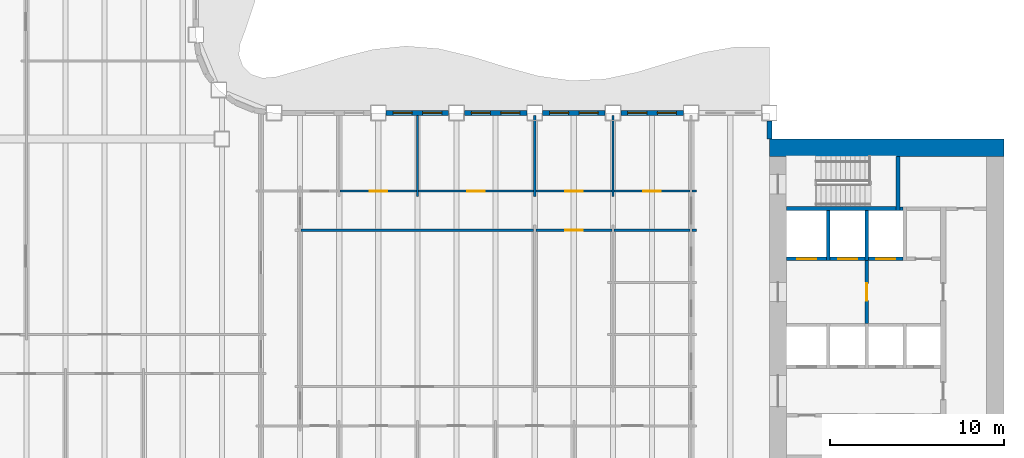
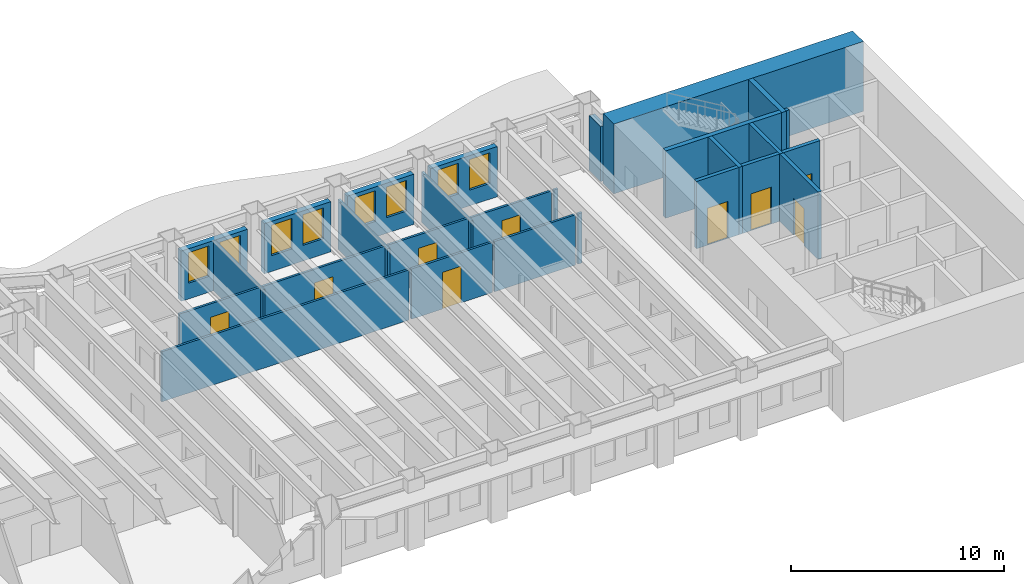
# One storey, part 7 of 16: 27 walls, 9 doors, 8 windows, 17 openings.
"""IFC4 building model written with IfcOpenShell, lengths in metres."""

from ifc_helpers import new_model, si_unit, direction, frame, frame_2d, origin, place, context, subcontext, project, spatial, rectangle, extrude, material, layer, layer_set, type_object, element, fill, save


model = new_model("IFC4")

# Units and contexts
model_context = context("Model", 3, precision=1e-05, world=origin(), true_north=direction((0.0, 1.0)))
body_context = subcontext(model_context, "Body", "Model", "MODEL_VIEW")
ifc_project = project(units=[si_unit("LENGTHUNIT", "METRE"), si_unit("AREAUNIT", "SQUARE_METRE"), si_unit("VOLUMEUNIT", "CUBIC_METRE"), si_unit("PLANEANGLEUNIT", "RADIAN"), si_unit("MASSUNIT", "GRAM", prefix="KILO")], contexts=[model_context])

# Site, building, storey
site_placement = place(None, origin())
site = spatial("IfcSite", under=ifc_project, at=site_placement, CompositionType="ELEMENT")
building_placement = place(site_placement, origin())
building = spatial("IfcBuilding", under=site, at=building_placement, Name="Sennacour Bend Tower", CompositionType="ELEMENT")
storey_placement = place(building_placement, frame((0.0, 0.0, 159.0)))
storey = spatial("IfcBuildingStorey", under=building, at=storey_placement, Name="L36", CompositionType="ELEMENT", Elevation=159.0)

# Walls
ifc_material_1 = material(Name="Concrete C60/75", Category="concrete")
ifc_layer_1 = layer(ifc_material_1, 1.0, Name="Concrete C60/75", Category="concrete")
ifc_layer_set_1 = layer_set([ifc_layer_1], Name="Concrete C60/75")
wall_type_1 = type_object("IfcWallType", Name="Core wall 1000 C60/75", PredefinedType="SHEAR", material=ifc_layer_set_1)
wall_1_placement = place(storey_placement, frame((54.0, 22.0, -0.14990234375), z_axis=(0.0, 0.0, 1.0), x_axis=(1.0, 0.0, 0.0)))
element("IfcWall", 1, at=wall_1_placement, inside=storey, type_object=wall_type_1, Name="Core A wall L36 N", PredefinedType="SHEAR", context=body_context, shape_type="SweptSolid", body=[
    extrude(rectangle(XDim=13.5, YDim=1.0, at=frame_2d((6.75, 0.0))), origin(), (0.0, 0.0, 1.0), 4.0),
])
ifc_material_2 = material(Name="Plasterboard partition on steel studs", Category="steel")
ifc_layer_2 = layer(ifc_material_2, 0.1201171875, Name="Plasterboard partition on steel studs", Category="steel")
ifc_layer_set_2 = layer_set([ifc_layer_2], Name="Plasterboard partition on steel studs")
wall_type_2 = type_object("IfcWallType", Name="Partition 120", PredefinedType="PARTITIONING", material=ifc_layer_set_2)
for number, where, z_axis, x_axis, name in (
    (2, (33.75, 19.199951171875, 0.0), (0.0, 0.0, 1.0), (0.0, 1.0, 0.0), "P-L36-W029a"),
    (3, (40.5, 19.199951171875, 0.0), (0.0, 0.0, 1.0), (0.0, 1.0, 0.0), "P-L36-W032a"),
    (4, (45.0, 19.199951171875, 0.0), (0.0, 0.0, 1.0), (0.0, 1.0, 0.0), "P-L36-W035a"),
):
    element("IfcWall", number, at=place(storey_placement, frame(where, z_axis=z_axis, x_axis=x_axis)), inside=storey, type_object=wall_type_2, Name=name, PredefinedType="PARTITIONING", context=body_context, shape_type="SweptSolid", body=[
        extrude(rectangle(XDim=4.650146484375, YDim=0.1201171875, at=frame_2d((2.3251953125, 0.0))), origin(), (0.0, 0.0, 1.0), 2.8701171875),
    ])
wall_2_placement = place(storey_placement, frame((27.06005859375, 17.25, 0.0), z_axis=(0.0, 0.0, 1.0), x_axis=(1.0, 0.0, 0.0)))
element("IfcWall", 5, at=wall_2_placement, inside=storey, type_object=wall_type_2, Name="P-L36-W070ab", PredefinedType="PARTITIONING", context=body_context, shape_type="SweptSolid", body=[
    extrude(rectangle(XDim=13.3798828125, YDim=0.1201171875, at=frame_2d((6.68994140625, 0.0))), origin(), (0.0, 0.0, 1.0), 2.8701171875),
])

# Wall, opening, door
wall_3_placement = place(storey_placement, frame((40.56005859375, 17.25, 0.0), z_axis=(0.0, 0.0, 1.0), x_axis=(1.0, 0.0, 0.0)))
wall_3 = element("IfcWall", 6, at=wall_3_placement, inside=storey, type_object=wall_type_2, Name="P-L36-W070ac", PredefinedType="PARTITIONING", context=body_context, shape_type="SweptSolid", body=[
    extrude(rectangle(XDim=4.3798828125, YDim=0.1201171875, at=frame_2d((2.18994140625, 0.0))), origin(), (0.0, 0.0, 1.0), 2.8701171875),
])
opening_1_placement = place(wall_3_placement, frame((1.68994140625, 0.0, 0.0)))
opening_1 = element("IfcOpeningElement", 7, at=opening_1_placement, cuts=wall_3, Name="Opening OD2", PredefinedType="OPENING", context=body_context, shape_type="SweptSolid", body=[
    extrude(rectangle(XDim=1.0, YDim=2.10009765625, at=frame_2d((0.5, 1.050048828125))), frame((0.0, 0.070068359375, 0.0), z_axis=(0.0, -1.0, 0.0), x_axis=(1.0, 0.0, 0.0)), (0.0, 0.0, 1.0), 0.14013671875),
])
ifc_material_3 = material(Name="Timber", Category="wood")
door_type_1 = type_object("IfcDoorType", Name="DR-OFFICE-1000", OperationType="NOTDEFINED", PredefinedType="DOOR", material=ifc_material_3)
door_1_placement = place(opening_1_placement, origin())
door_1 = element("IfcDoor", 8, at=door_1_placement, inside=storey, type_object=door_type_1, Name="Door", OperationType="SINGLE_SWING_LEFT", OverallHeight=2.10009765625, OverallWidth=1.0, PredefinedType="DOOR", context=body_context, shape_type="SweptSolid", body=[
    extrude(rectangle(XDim=1.0, YDim=2.10009765625, at=frame_2d((0.5, 1.050048828125))), frame((0.0, 0.02490234375, 0.0), z_axis=(0.0, -1.0, 0.0), x_axis=(1.0, 0.0, 0.0)), (0.0, 0.0, 1.0), 0.050048828125),
])
fill(opening_1, door_1)

# Walls
wall_4_placement = place(storey_placement, frame((45.06005859375, 17.25, 0.0), z_axis=(0.0, 0.0, 1.0), x_axis=(1.0, 0.0, 0.0)))
element("IfcWall", 9, at=wall_4_placement, inside=storey, type_object=wall_type_2, Name="P-L36-W070ad", PredefinedType="PARTITIONING", context=body_context, shape_type="SweptSolid", body=[
    extrude(rectangle(XDim=4.3798828125, YDim=0.1201171875, at=frame_2d((2.18994140625, 0.0))), origin(), (0.0, 0.0, 1.0), 2.8701171875),
])
wall_5_placement = place(storey_placement, frame((49.56005859375, 17.25, 0.0), z_axis=(0.0, 0.0, 1.0), x_axis=(1.0, 0.0, 0.0)))
element("IfcWall", 10, at=wall_5_placement, inside=storey, type_object=wall_type_2, Name="P-L36-W070ae", PredefinedType="PARTITIONING", context=body_context, shape_type="SweptSolid", body=[
    extrude(rectangle(XDim=0.239990234375, YDim=0.1201171875, at=frame_2d((0.1201171875, 0.0))), origin(), (0.0, 0.0, 1.0), 2.8701171875),
])

# Wall, opening, door
wall_6_placement = place(storey_placement, frame((29.31005859375, 19.5, 0.0), z_axis=(0.0, 0.0, 1.0), x_axis=(1.0, 0.0, 0.0)))
wall_6 = element("IfcWall", 11, at=wall_6_placement, inside=storey, type_object=wall_type_2, Name="P-L36-W074ad", PredefinedType="PARTITIONING", context=body_context, shape_type="SweptSolid", body=[
    extrude(rectangle(XDim=4.3798828125, YDim=0.1201171875, at=frame_2d((2.18994140625, 0.0))), origin(), (0.0, 0.0, 1.0), 2.8701171875),
])
opening_2_placement = place(wall_6_placement, frame((1.68994140625, 0.0, 0.0)))
opening_2 = element("IfcOpeningElement", 12, at=opening_2_placement, cuts=wall_6, Name="Opening OD2", PredefinedType="OPENING", context=body_context, shape_type="SweptSolid", body=[
    extrude(rectangle(XDim=1.0, YDim=2.10009765625, at=frame_2d((0.5, 1.050048828125))), frame((0.0, 0.070068359375, 0.0), z_axis=(0.0, -1.0, 0.0), x_axis=(1.0, 0.0, 0.0)), (0.0, 0.0, 1.0), 0.14013671875),
])
door_2_placement = place(opening_2_placement, origin())
door_2 = element("IfcDoor", 13, at=door_2_placement, inside=storey, type_object=door_type_1, Name="Door", OperationType="SINGLE_SWING_LEFT", OverallHeight=2.10009765625, OverallWidth=1.0, PredefinedType="DOOR", context=body_context, shape_type="SweptSolid", body=[
    extrude(rectangle(XDim=1.0, YDim=2.10009765625, at=frame_2d((0.5, 1.050048828125))), frame((0.0, 0.02490234375, 0.0), z_axis=(0.0, -1.0, 0.0), x_axis=(1.0, 0.0, 0.0)), (0.0, 0.0, 1.0), 0.050048828125),
])
fill(opening_2, door_2)

wall_7_placement = place(storey_placement, frame((33.81005859375, 19.5, 0.0), z_axis=(0.0, 0.0, 1.0), x_axis=(1.0, 0.0, 0.0)))
wall_7 = element("IfcWall", 14, at=wall_7_placement, inside=storey, type_object=wall_type_2, Name="P-L36-W074ae", PredefinedType="PARTITIONING", context=body_context, shape_type="SweptSolid", body=[
    extrude(rectangle(XDim=6.6298828125, YDim=0.1201171875, at=frame_2d((3.31494140625, 0.0))), origin(), (0.0, 0.0, 1.0), 2.8701171875),
])
opening_3_placement = place(wall_7_placement, frame((2.81494140625, 0.0, 0.0)))
opening_3 = element("IfcOpeningElement", 15, at=opening_3_placement, cuts=wall_7, Name="Opening OD2", PredefinedType="OPENING", context=body_context, shape_type="SweptSolid", body=[
    extrude(rectangle(XDim=1.0, YDim=2.10009765625, at=frame_2d((0.5, 1.050048828125))), frame((0.0, 0.070068359375, 0.0), z_axis=(0.0, -1.0, 0.0), x_axis=(1.0, 0.0, 0.0)), (0.0, 0.0, 1.0), 0.14013671875),
])
door_3_placement = place(opening_3_placement, origin())
door_3 = element("IfcDoor", 16, at=door_3_placement, inside=storey, type_object=door_type_1, Name="Door", OperationType="SINGLE_SWING_LEFT", OverallHeight=2.10009765625, OverallWidth=1.0, PredefinedType="DOOR", context=body_context, shape_type="SweptSolid", body=[
    extrude(rectangle(XDim=1.0, YDim=2.10009765625, at=frame_2d((0.5, 1.050048828125))), frame((0.0, 0.02490234375, 0.0), z_axis=(0.0, -1.0, 0.0), x_axis=(1.0, 0.0, 0.0)), (0.0, 0.0, 1.0), 0.050048828125),
])
fill(opening_3, door_3)

wall_8_placement = place(storey_placement, frame((40.56005859375, 19.5, 0.0), z_axis=(0.0, 0.0, 1.0), x_axis=(1.0, 0.0, 0.0)))
wall_8 = element("IfcWall", 17, at=wall_8_placement, inside=storey, type_object=wall_type_2, Name="P-L36-W074af", PredefinedType="PARTITIONING", context=body_context, shape_type="SweptSolid", body=[
    extrude(rectangle(XDim=4.3798828125, YDim=0.1201171875, at=frame_2d((2.18994140625, 0.0))), origin(), (0.0, 0.0, 1.0), 2.8701171875),
])
opening_4_placement = place(wall_8_placement, frame((1.68994140625, 0.0, 0.0)))
opening_4 = element("IfcOpeningElement", 18, at=opening_4_placement, cuts=wall_8, Name="Opening OD2", PredefinedType="OPENING", context=body_context, shape_type="SweptSolid", body=[
    extrude(rectangle(XDim=1.0, YDim=2.10009765625, at=frame_2d((0.5, 1.050048828125))), frame((0.0, 0.070068359375, 0.0), z_axis=(0.0, -1.0, 0.0), x_axis=(1.0, 0.0, 0.0)), (0.0, 0.0, 1.0), 0.14013671875),
])
door_4_placement = place(opening_4_placement, origin())
door_4 = element("IfcDoor", 19, at=door_4_placement, inside=storey, type_object=door_type_1, Name="Door", OperationType="SINGLE_SWING_LEFT", OverallHeight=2.10009765625, OverallWidth=1.0, PredefinedType="DOOR", context=body_context, shape_type="SweptSolid", body=[
    extrude(rectangle(XDim=1.0, YDim=2.10009765625, at=frame_2d((0.5, 1.050048828125))), frame((0.0, 0.02490234375, 0.0), z_axis=(0.0, -1.0, 0.0), x_axis=(1.0, 0.0, 0.0)), (0.0, 0.0, 1.0), 0.050048828125),
])
fill(opening_4, door_4)

wall_9_placement = place(storey_placement, frame((45.06005859375, 19.5, 0.0), z_axis=(0.0, 0.0, 1.0), x_axis=(1.0, 0.0, 0.0)))
wall_9 = element("IfcWall", 20, at=wall_9_placement, inside=storey, type_object=wall_type_2, Name="P-L36-W074ag", PredefinedType="PARTITIONING", context=body_context, shape_type="SweptSolid", body=[
    extrude(rectangle(XDim=4.3798828125, YDim=0.1201171875, at=frame_2d((2.18994140625, 0.0))), origin(), (0.0, 0.0, 1.0), 2.8701171875),
])
opening_5_placement = place(wall_9_placement, frame((1.68994140625, 0.0, 0.0)))
opening_5 = element("IfcOpeningElement", 21, at=opening_5_placement, cuts=wall_9, Name="Opening MD2", PredefinedType="OPENING", context=body_context, shape_type="SweptSolid", body=[
    extrude(rectangle(XDim=1.0, YDim=2.10009765625, at=frame_2d((0.5, 1.050048828125))), frame((0.0, 0.070068359375, 0.0), z_axis=(0.0, -1.0, 0.0), x_axis=(1.0, 0.0, 0.0)), (0.0, 0.0, 1.0), 0.14013671875),
])
door_type_2 = type_object("IfcDoorType", Name="DR-MEETING-1000", OperationType="NOTDEFINED", PredefinedType="DOOR", material=ifc_material_3)
door_5_placement = place(opening_5_placement, origin())
door_5 = element("IfcDoor", 22, at=door_5_placement, inside=storey, type_object=door_type_2, Name="Door", OperationType="SINGLE_SWING_LEFT", OverallHeight=2.10009765625, OverallWidth=1.0, PredefinedType="DOOR", context=body_context, shape_type="SweptSolid", body=[
    extrude(rectangle(XDim=1.0, YDim=2.10009765625, at=frame_2d((0.5, 1.050048828125))), frame((0.0, 0.02490234375, 0.0), z_axis=(0.0, -1.0, 0.0), x_axis=(1.0, 0.0, 0.0)), (0.0, 0.0, 1.0), 0.050048828125),
])
fill(opening_5, door_5)

# Wall
wall_10_placement = place(storey_placement, frame((49.56005859375, 19.5, 0.0), z_axis=(0.0, 0.0, 1.0), x_axis=(1.0, 0.0, 0.0)))
element("IfcWall", 23, at=wall_10_placement, inside=storey, type_object=wall_type_2, Name="P-L36-W074ah", PredefinedType="PARTITIONING", context=body_context, shape_type="SweptSolid", body=[
    extrude(rectangle(XDim=0.239990234375, YDim=0.1201171875, at=frame_2d((0.1201171875, 0.0))), origin(), (0.0, 0.0, 1.0), 2.8701171875),
])

# Wall, opening, door
ifc_material_4 = material(Name="Fire-rated plasterboard partition on steel studs", Category="steel")
ifc_layer_3 = layer(ifc_material_4, 0.199951171875, Name="Fire-rated plasterboard partition on steel studs", Category="steel")
ifc_layer_set_3 = layer_set([ifc_layer_3], Name="Fire-rated plasterboard partition on steel studs")
wall_type_3 = type_object("IfcWallType", Name="Rated partition 200 EI 90", PredefinedType="PARTITIONING", material=ifc_layer_set_3)
wall_11_placement = place(storey_placement, frame((59.60009765625, 11.89990234375, 0.0), z_axis=(0.0, 0.0, 1.0), x_axis=(0.0, 1.0, 0.0)))
wall_11 = element("IfcWall", 24, at=wall_11_placement, inside=storey, type_object=wall_type_3, Name="P-L36-W042", PredefinedType="PARTITIONING", context=body_context, shape_type="SweptSolid", body=[
    extrude(rectangle(XDim=3.60009765625, YDim=0.199951171875, at=frame_2d((1.800048828125, 0.0))), origin(), (0.0, 0.0, 1.0), 3.85009765625),
])
opening_6_placement = place(wall_11_placement, frame((1.300048828125, 0.0, 0.0)))
opening_6 = element("IfcOpeningElement", 25, at=opening_6_placement, cuts=wall_11, Name="Opening FD2", PredefinedType="OPENING", context=body_context, shape_type="SweptSolid", body=[
    extrude(rectangle(XDim=1.0, YDim=2.10009765625, at=frame_2d((0.5, 1.050048828125))), frame((0.0, 0.10986328125, 0.0), z_axis=(0.0, -1.0, 0.0), x_axis=(1.0, 0.0, 0.0)), (0.0, 0.0, 1.0), 0.219970703125),
])
ifc_material_5 = material(Name="Painted steel", Category="steel")
door_type_3 = type_object("IfcDoorType", Name="DR-FFL-1000", OperationType="NOTDEFINED", PredefinedType="DOOR", material=ifc_material_5)
door_6_placement = place(opening_6_placement, origin())
door_6 = element("IfcDoor", 26, at=door_6_placement, inside=storey, type_object=door_type_3, Name="Door", OperationType="SINGLE_SWING_LEFT", OverallHeight=2.10009765625, OverallWidth=1.0, PredefinedType="DOOR", context=body_context, shape_type="SweptSolid", body=[
    extrude(rectangle(XDim=1.0, YDim=2.10009765625, at=frame_2d((0.5, 1.050048828125))), frame((0.0, 0.02490234375, 0.0), z_axis=(0.0, -1.0, 0.0), x_axis=(1.0, 0.0, 0.0)), (0.0, 0.0, 1.0), 0.050048828125),
])
fill(opening_6, door_6)

# Wall
ifc_material_6 = material(Name="Warm limestone cladding", Category="masonry")
ifc_layer_4 = layer(ifc_material_6, 0.050048828125, Name="Warm limestone cladding", Category="masonry")
ifc_material_7 = material(Name="Precast concrete C40/50", Category="concrete")
ifc_layer_5 = layer(ifc_material_7, 0.25, Name="Precast concrete C40/50", Category="concrete")
ifc_layer_set_4 = layer_set([ifc_layer_4, ifc_layer_5], Name="Precast concrete C40/50 with limestone cladding")
wall_type_4 = type_object("IfcWallType", Name="STONE-CLAD PRECAST SPANDREL 300", PredefinedType="STANDARD", material=ifc_layer_set_4)
wall_12_placement = place(storey_placement, frame((54.0, 22.5, 0.0), z_axis=(0.0, 0.0, 1.0), x_axis=(0.0, 1.0, 0.0)))
element("IfcWall", 27, at=wall_12_placement, inside=storey, type_object=wall_type_4, Name="Stone spandrel and pier wall L36 07.00", PredefinedType="STANDARD", context=body_context, shape_type="SweptSolid", body=[
    extrude(rectangle(XDim=1.050048828125, YDim=0.300048828125, at=frame_2d((0.52490234375, 0.0))), origin(), (0.0, 0.0, 1.0), 3.14892578125),
])

# Wall, openings, windows
wall_13_placement = place(storey_placement, frame((49.050048828125, 24.0, 0.0), z_axis=(0.0, 0.0, 1.0), x_axis=(-1.0, 0.0, 0.0)))
wall_13 = element("IfcWall", 28, at=wall_13_placement, inside=storey, type_object=wall_type_4, Name="Stone spandrel and pier wall L36 08.01", PredefinedType="STANDARD", context=body_context, shape_type="SweptSolid", body=[
    extrude(rectangle(XDim=3.60009765625, YDim=0.300048828125, at=frame_2d((1.800048828125, 0.0))), origin(), (0.0, 0.0, 1.0), 2.8701171875),
])
opening_7_placement = place(wall_13_placement, frame((0.39990234375, 0.0, 0.89990234375)))
opening_7 = element("IfcOpeningElement", 29, at=opening_7_placement, cuts=wall_13, Name="Opening W17", PredefinedType="OPENING", context=body_context, shape_type="SweptSolid", body=[
    extrude(rectangle(XDim=1.10009765625, YDim=1.75, at=frame_2d((0.550048828125, 0.875))), frame((0.0, 0.16015625, 0.0), z_axis=(0.0, -1.0, 0.0), x_axis=(1.0, 0.0, 0.0)), (0.0, 0.0, 1.0), 0.320068359375),
])
opening_8_placement = place(wall_13_placement, frame((2.10009765625, 0.0, 0.89990234375)))
opening_8 = element("IfcOpeningElement", 30, at=opening_8_placement, cuts=wall_13, Name="Opening W17", PredefinedType="OPENING", context=body_context, shape_type="SweptSolid", body=[
    extrude(rectangle(XDim=1.10009765625, YDim=1.75, at=frame_2d((0.550048828125, 0.875))), frame((0.0, 0.16015625, 0.0), z_axis=(0.0, -1.0, 0.0), x_axis=(1.0, 0.0, 0.0)), (0.0, 0.0, 1.0), 0.320068359375),
])
ifc_material_8 = material(Name="Clear low-emissivity glass", Category="glass")
window_type = type_object("IfcWindowType", Name="WIN-RIBBON-1100x1750", PartitioningType="SINGLE_PANEL", PredefinedType="WINDOW", material=ifc_material_8)
window_1_placement = place(opening_7_placement, origin())
window_1 = element("IfcWindow", 31, at=window_1_placement, inside=storey, type_object=window_type, Name="Ribbon window L36 08.01.0", OverallHeight=1.75, OverallWidth=1.10009765625, PartitioningType="SINGLE_PANEL", PredefinedType="WINDOW", context=body_context, shape_type="SweptSolid", body=[
    extrude(rectangle(XDim=1.10009765625, YDim=1.75, at=frame_2d((0.550048828125, 0.875))), frame((0.0, 0.030029296875, 0.0), z_axis=(0.0, -1.0, 0.0), x_axis=(1.0, 0.0, 0.0)), (0.0, 0.0, 1.0), 0.06005859375),
])
fill(opening_7, window_1)
window_2_placement = place(opening_8_placement, origin())
window_2 = element("IfcWindow", 32, at=window_2_placement, inside=storey, type_object=window_type, Name="Ribbon window L36 08.01.1", OverallHeight=1.75, OverallWidth=1.10009765625, PartitioningType="SINGLE_PANEL", PredefinedType="WINDOW", context=body_context, shape_type="SweptSolid", body=[
    extrude(rectangle(XDim=1.10009765625, YDim=1.75, at=frame_2d((0.550048828125, 0.875))), frame((0.0, 0.030029296875, 0.0), z_axis=(0.0, -1.0, 0.0), x_axis=(1.0, 0.0, 0.0)), (0.0, 0.0, 1.0), 0.06005859375),
])
fill(opening_8, window_2)

wall_14_placement = place(storey_placement, frame((44.550048828125, 24.0, 0.0), z_axis=(0.0, 0.0, 1.0), x_axis=(-1.0, 0.0, 0.0)))
wall_14 = element("IfcWall", 33, at=wall_14_placement, inside=storey, type_object=wall_type_4, Name="Stone spandrel and pier wall L36 08.02", PredefinedType="STANDARD", context=body_context, shape_type="SweptSolid", body=[
    extrude(rectangle(XDim=3.60009765625, YDim=0.300048828125, at=frame_2d((1.800048828125, 0.0))), origin(), (0.0, 0.0, 1.0), 2.8701171875),
])
opening_9_placement = place(wall_14_placement, frame((0.39990234375, 0.0, 0.89990234375)))
opening_9 = element("IfcOpeningElement", 34, at=opening_9_placement, cuts=wall_14, Name="Opening W17", PredefinedType="OPENING", context=body_context, shape_type="SweptSolid", body=[
    extrude(rectangle(XDim=1.10009765625, YDim=1.75, at=frame_2d((0.550048828125, 0.875))), frame((0.0, 0.16015625, 0.0), z_axis=(0.0, -1.0, 0.0), x_axis=(1.0, 0.0, 0.0)), (0.0, 0.0, 1.0), 0.320068359375),
])
opening_10_placement = place(wall_14_placement, frame((2.10009765625, 0.0, 0.89990234375)))
opening_10 = element("IfcOpeningElement", 35, at=opening_10_placement, cuts=wall_14, Name="Opening W17", PredefinedType="OPENING", context=body_context, shape_type="SweptSolid", body=[
    extrude(rectangle(XDim=1.10009765625, YDim=1.75, at=frame_2d((0.550048828125, 0.875))), frame((0.0, 0.16015625, 0.0), z_axis=(0.0, -1.0, 0.0), x_axis=(1.0, 0.0, 0.0)), (0.0, 0.0, 1.0), 0.320068359375),
])
window_3_placement = place(opening_9_placement, origin())
window_3 = element("IfcWindow", 36, at=window_3_placement, inside=storey, type_object=window_type, Name="Ribbon window L36 08.02.0", OverallHeight=1.75, OverallWidth=1.10009765625, PartitioningType="SINGLE_PANEL", PredefinedType="WINDOW", context=body_context, shape_type="SweptSolid", body=[
    extrude(rectangle(XDim=1.10009765625, YDim=1.75, at=frame_2d((0.550048828125, 0.875))), frame((0.0, 0.030029296875, 0.0), z_axis=(0.0, -1.0, 0.0), x_axis=(1.0, 0.0, 0.0)), (0.0, 0.0, 1.0), 0.06005859375),
])
fill(opening_9, window_3)
window_4_placement = place(opening_10_placement, origin())
window_4 = element("IfcWindow", 37, at=window_4_placement, inside=storey, type_object=window_type, Name="Ribbon window L36 08.02.1", OverallHeight=1.75, OverallWidth=1.10009765625, PartitioningType="SINGLE_PANEL", PredefinedType="WINDOW", context=body_context, shape_type="SweptSolid", body=[
    extrude(rectangle(XDim=1.10009765625, YDim=1.75, at=frame_2d((0.550048828125, 0.875))), frame((0.0, 0.030029296875, 0.0), z_axis=(0.0, -1.0, 0.0), x_axis=(1.0, 0.0, 0.0)), (0.0, 0.0, 1.0), 0.06005859375),
])
fill(opening_10, window_4)

wall_15_placement = place(storey_placement, frame((40.050048828125, 24.0, 0.0), z_axis=(0.0, 0.0, 1.0), x_axis=(-1.0, 0.0, 0.0)))
wall_15 = element("IfcWall", 38, at=wall_15_placement, inside=storey, type_object=wall_type_4, Name="Stone spandrel and pier wall L36 08.03", PredefinedType="STANDARD", context=body_context, shape_type="SweptSolid", body=[
    extrude(rectangle(XDim=3.60009765625, YDim=0.300048828125, at=frame_2d((1.800048828125, 0.0))), origin(), (0.0, 0.0, 1.0), 2.8701171875),
])
opening_11_placement = place(wall_15_placement, frame((0.39990234375, 0.0, 0.89990234375)))
opening_11 = element("IfcOpeningElement", 39, at=opening_11_placement, cuts=wall_15, Name="Opening W17", PredefinedType="OPENING", context=body_context, shape_type="SweptSolid", body=[
    extrude(rectangle(XDim=1.10009765625, YDim=1.75, at=frame_2d((0.550048828125, 0.875))), frame((0.0, 0.16015625, 0.0), z_axis=(0.0, -1.0, 0.0), x_axis=(1.0, 0.0, 0.0)), (0.0, 0.0, 1.0), 0.320068359375),
])
opening_12_placement = place(wall_15_placement, frame((2.10009765625, 0.0, 0.89990234375)))
opening_12 = element("IfcOpeningElement", 40, at=opening_12_placement, cuts=wall_15, Name="Opening W17", PredefinedType="OPENING", context=body_context, shape_type="SweptSolid", body=[
    extrude(rectangle(XDim=1.10009765625, YDim=1.75, at=frame_2d((0.550048828125, 0.875))), frame((0.0, 0.16015625, 0.0), z_axis=(0.0, -1.0, 0.0), x_axis=(1.0, 0.0, 0.0)), (0.0, 0.0, 1.0), 0.320068359375),
])
window_5_placement = place(opening_11_placement, origin())
window_5 = element("IfcWindow", 41, at=window_5_placement, inside=storey, type_object=window_type, Name="Ribbon window L36 08.03.0", OverallHeight=1.75, OverallWidth=1.10009765625, PartitioningType="SINGLE_PANEL", PredefinedType="WINDOW", context=body_context, shape_type="SweptSolid", body=[
    extrude(rectangle(XDim=1.10009765625, YDim=1.75, at=frame_2d((0.550048828125, 0.875))), frame((0.0, 0.030029296875, 0.0), z_axis=(0.0, -1.0, 0.0), x_axis=(1.0, 0.0, 0.0)), (0.0, 0.0, 1.0), 0.06005859375),
])
fill(opening_11, window_5)
window_6_placement = place(opening_12_placement, origin())
window_6 = element("IfcWindow", 42, at=window_6_placement, inside=storey, type_object=window_type, Name="Ribbon window L36 08.03.1", OverallHeight=1.75, OverallWidth=1.10009765625, PartitioningType="SINGLE_PANEL", PredefinedType="WINDOW", context=body_context, shape_type="SweptSolid", body=[
    extrude(rectangle(XDim=1.10009765625, YDim=1.75, at=frame_2d((0.550048828125, 0.875))), frame((0.0, 0.030029296875, 0.0), z_axis=(0.0, -1.0, 0.0), x_axis=(1.0, 0.0, 0.0)), (0.0, 0.0, 1.0), 0.06005859375),
])
fill(opening_12, window_6)

wall_16_placement = place(storey_placement, frame((35.550048828125, 24.0, 0.0), z_axis=(0.0, 0.0, 1.0), x_axis=(-1.0, 0.0, 0.0)))
wall_16 = element("IfcWall", 43, at=wall_16_placement, inside=storey, type_object=wall_type_4, Name="Stone spandrel and pier wall L36 08.04", PredefinedType="STANDARD", context=body_context, shape_type="SweptSolid", body=[
    extrude(rectangle(XDim=3.60009765625, YDim=0.300048828125, at=frame_2d((1.800048828125, 0.0))), origin(), (0.0, 0.0, 1.0), 2.8701171875),
])
opening_13_placement = place(wall_16_placement, frame((0.39990234375, 0.0, 0.89990234375)))
opening_13 = element("IfcOpeningElement", 44, at=opening_13_placement, cuts=wall_16, Name="Opening W17", PredefinedType="OPENING", context=body_context, shape_type="SweptSolid", body=[
    extrude(rectangle(XDim=1.10009765625, YDim=1.75, at=frame_2d((0.550048828125, 0.875))), frame((0.0, 0.16015625, 0.0), z_axis=(0.0, -1.0, 0.0), x_axis=(1.0, 0.0, 0.0)), (0.0, 0.0, 1.0), 0.320068359375),
])
opening_14_placement = place(wall_16_placement, frame((2.10009765625, 0.0, 0.89990234375)))
opening_14 = element("IfcOpeningElement", 45, at=opening_14_placement, cuts=wall_16, Name="Opening W17", PredefinedType="OPENING", context=body_context, shape_type="SweptSolid", body=[
    extrude(rectangle(XDim=1.10009765625, YDim=1.75, at=frame_2d((0.550048828125, 0.875))), frame((0.0, 0.16015625, 0.0), z_axis=(0.0, -1.0, 0.0), x_axis=(1.0, 0.0, 0.0)), (0.0, 0.0, 1.0), 0.320068359375),
])
window_7_placement = place(opening_13_placement, origin())
window_7 = element("IfcWindow", 46, at=window_7_placement, inside=storey, type_object=window_type, Name="Ribbon window L36 08.04.0", OverallHeight=1.75, OverallWidth=1.10009765625, PartitioningType="SINGLE_PANEL", PredefinedType="WINDOW", context=body_context, shape_type="SweptSolid", body=[
    extrude(rectangle(XDim=1.10009765625, YDim=1.75, at=frame_2d((0.550048828125, 0.875))), frame((0.0, 0.030029296875, 0.0), z_axis=(0.0, -1.0, 0.0), x_axis=(1.0, 0.0, 0.0)), (0.0, 0.0, 1.0), 0.06005859375),
])
fill(opening_13, window_7)
window_8_placement = place(opening_14_placement, origin())
window_8 = element("IfcWindow", 47, at=window_8_placement, inside=storey, type_object=window_type, Name="Ribbon window L36 08.04.1", OverallHeight=1.75, OverallWidth=1.10009765625, PartitioningType="SINGLE_PANEL", PredefinedType="WINDOW", context=body_context, shape_type="SweptSolid", body=[
    extrude(rectangle(XDim=1.10009765625, YDim=1.75, at=frame_2d((0.550048828125, 0.875))), frame((0.0, 0.030029296875, 0.0), z_axis=(0.0, -1.0, 0.0), x_axis=(1.0, 0.0, 0.0)), (0.0, 0.0, 1.0), 0.06005859375),
])
fill(opening_14, window_8)

# Walls
ifc_material_9 = material(Name="Concrete C50/60", Category="concrete")
ifc_layer_6 = layer(ifc_material_9, 0.199951171875, Name="Concrete C50/60", Category="concrete")
ifc_layer_set_5 = layer_set([ifc_layer_6], Name="Concrete C50/60")
wall_type_5 = type_object("IfcWallType", Name="Shaft wall 200", PredefinedType="SOLIDWALL", material=ifc_layer_set_5)
for number, where, z_axis, x_axis, name in (
    (48, (57.39990234375, 15.5, 0.0), (0.0, 0.0, 1.0), (0.0, 1.0, 0.0), "P-L36-W040"),
    (49, (59.60009765625, 15.5, 0.0), (0.0, 0.0, 1.0), (0.0, 1.0, 0.0), "P-L36-W043"),
):
    element("IfcWall", number, at=place(storey_placement, frame(where, z_axis=z_axis, x_axis=x_axis)), inside=storey, type_object=wall_type_5, Name=name, PredefinedType="SOLIDWALL", context=body_context, shape_type="SweptSolid", body=[
        extrude(rectangle(XDim=2.875, YDim=0.199951171875, at=frame_2d((1.4375, 0.0))), origin(), (0.0, 0.0, 1.0), 3.85009765625),
    ])

# Wall, opening, door
wall_17_placement = place(storey_placement, frame((55.0, 15.60009765625, 0.0), z_axis=(0.0, 0.0, 1.0), x_axis=(1.0, 0.0, 0.0)))
wall_17 = element("IfcWall", 50, at=wall_17_placement, inside=storey, type_object=wall_type_5, Name="P-L36-W067a", PredefinedType="SOLIDWALL", context=body_context, shape_type="SweptSolid", body=[
    extrude(rectangle(XDim=2.300048828125, YDim=0.199951171875, at=frame_2d((1.14990234375, 0.0))), origin(), (0.0, 0.0, 1.0), 3.85009765625),
])
opening_15_placement = place(wall_17_placement, frame((0.60009765625, 0.0, 0.011962890625)))
opening_15 = element("IfcOpeningElement", 51, at=opening_15_placement, cuts=wall_17, Name="Opening FLD", PredefinedType="OPENING", context=body_context, shape_type="SweptSolid", body=[
    extrude(rectangle(XDim=1.10009765625, YDim=2.10009765625, at=frame_2d((0.550048828125, 1.050048828125))), frame((0.0, 0.10986328125, 0.0), z_axis=(0.0, -1.0, 0.0), x_axis=(1.0, 0.0, 0.0)), (0.0, 0.0, 1.0), 0.219970703125),
])
ifc_material_10 = material(Name="Stainless steel", Category="steel")
door_type_4 = type_object("IfcDoorType", Name="DR-FF-LANDING-1100", OperationType="NOTDEFINED", PredefinedType="DOOR", material=ifc_material_10)
door_7_placement = place(opening_15_placement, origin())
door_7 = element("IfcDoor", 52, at=door_7_placement, inside=storey, type_object=door_type_4, Name="Fire service lift landing door FA1", OperationType="SLIDING_TO_LEFT", OverallHeight=2.10009765625, OverallWidth=1.10009765625, PredefinedType="DOOR", context=body_context, shape_type="SweptSolid", body=[
    extrude(rectangle(XDim=1.10009765625, YDim=2.10009765625, at=frame_2d((0.550048828125, 1.050048828125))), frame((0.0, 0.02490234375, 0.0), z_axis=(0.0, -1.0, 0.0), x_axis=(1.0, 0.0, 0.0)), (0.0, 0.0, 1.0), 0.050048828125),
])
fill(opening_15, door_7)

wall_18_placement = place(storey_placement, frame((57.5, 15.60009765625, 0.0), z_axis=(0.0, 0.0, 1.0), x_axis=(1.0, 0.0, 0.0)))
wall_18 = element("IfcWall", 53, at=wall_18_placement, inside=storey, type_object=wall_type_5, Name="P-L36-W067b", PredefinedType="SOLIDWALL", context=body_context, shape_type="SweptSolid", body=[
    extrude(rectangle(XDim=2.0, YDim=0.199951171875, at=frame_2d((1.0, 0.0))), origin(), (0.0, 0.0, 1.0), 3.85009765625),
])
opening_16_placement = place(wall_18_placement, frame((0.449951171875, 0.0, 0.011962890625)))
opening_16 = element("IfcOpeningElement", 54, at=opening_16_placement, cuts=wall_18, Name="Opening FLD", PredefinedType="OPENING", context=body_context, shape_type="SweptSolid", body=[
    extrude(rectangle(XDim=1.10009765625, YDim=2.10009765625, at=frame_2d((0.550048828125, 1.050048828125))), frame((0.0, 0.10986328125, 0.0), z_axis=(0.0, -1.0, 0.0), x_axis=(1.0, 0.0, 0.0)), (0.0, 0.0, 1.0), 0.219970703125),
])
door_8_placement = place(opening_16_placement, origin())
door_8 = element("IfcDoor", 55, at=door_8_placement, inside=storey, type_object=door_type_4, Name="Fire service lift landing door FA2", OperationType="SLIDING_TO_RIGHT", OverallHeight=2.10009765625, OverallWidth=1.10009765625, PredefinedType="DOOR", context=body_context, shape_type="SweptSolid", body=[
    extrude(rectangle(XDim=1.10009765625, YDim=2.10009765625, at=frame_2d((0.550048828125, 1.050048828125))), frame((0.0, 0.02490234375, 0.0), z_axis=(0.0, -1.0, 0.0), x_axis=(1.0, 0.0, 0.0)), (0.0, 0.0, 1.0), 0.050048828125),
])
fill(opening_16, door_8)

wall_19_placement = place(storey_placement, frame((59.699951171875, 15.60009765625, 0.0), z_axis=(0.0, 0.0, 1.0), x_axis=(1.0, 0.0, 0.0)))
wall_19 = element("IfcWall", 56, at=wall_19_placement, inside=storey, type_object=wall_type_5, Name="P-L36-W067c", PredefinedType="SOLIDWALL", context=body_context, shape_type="SweptSolid", body=[
    extrude(rectangle(XDim=2.0, YDim=0.199951171875, at=frame_2d((1.0, 0.0))), origin(), (0.0, 0.0, 1.0), 3.85009765625),
])
opening_17_placement = place(wall_19_placement, frame((0.449951171875, 0.0, 0.011962890625)))
opening_17 = element("IfcOpeningElement", 57, at=opening_17_placement, cuts=wall_19, Name="Opening LD", PredefinedType="OPENING", context=body_context, shape_type="SweptSolid", body=[
    extrude(rectangle(XDim=1.10009765625, YDim=2.10009765625, at=frame_2d((0.550048828125, 1.050048828125))), frame((0.0, 0.10986328125, 0.0), z_axis=(0.0, -1.0, 0.0), x_axis=(1.0, 0.0, 0.0)), (0.0, 0.0, 1.0), 0.219970703125),
])
door_type_5 = type_object("IfcDoorType", Name="DR-LANDING-1100", OperationType="NOTDEFINED", PredefinedType="DOOR", material=ifc_material_10)
door_9_placement = place(opening_17_placement, origin())
door_9 = element("IfcDoor", 58, at=door_9_placement, inside=storey, type_object=door_type_5, Name="Lift landing door HA5", OperationType="SLIDING_TO_LEFT", OverallHeight=2.10009765625, OverallWidth=1.10009765625, PredefinedType="DOOR", context=body_context, shape_type="SweptSolid", body=[
    extrude(rectangle(XDim=1.10009765625, YDim=2.10009765625, at=frame_2d((0.550048828125, 1.050048828125))), frame((0.0, 0.02490234375, 0.0), z_axis=(0.0, -1.0, 0.0), x_axis=(1.0, 0.0, 0.0)), (0.0, 0.0, 1.0), 0.050048828125),
])
fill(opening_17, door_9)

# Walls
wall_20_placement = place(storey_placement, frame((61.52490234375, 18.5, 0.0), z_axis=(0.0, 0.0, 1.0), x_axis=(1.0, 0.0, 0.0)))
element("IfcWall", 59, at=wall_20_placement, inside=storey, type_object=wall_type_5, Name="P-L36-W072", PredefinedType="SOLIDWALL", context=body_context, shape_type="SweptSolid", body=[
    extrude(rectangle(XDim=0.175048828125, YDim=0.199951171875, at=frame_2d((0.08740234375, 0.0))), origin(), (0.0, 0.0, 1.0), 3.85009765625),
])
ifc_layer_7 = layer(ifc_material_1, 0.25, Name="Concrete C60/75", Category="concrete")
ifc_layer_set_6 = layer_set([ifc_layer_7], Name="Concrete C60/75")
wall_type_6 = type_object("IfcWallType", Name="Stair wall 250", PredefinedType="SHEAR", material=ifc_layer_set_6)
wall_21_placement = place(storey_placement, frame((61.39990234375, 18.375, 0.0), z_axis=(0.0, 0.0, 1.0), x_axis=(0.0, 1.0, 0.0)))
element("IfcWall", 60, at=wall_21_placement, inside=storey, type_object=wall_type_6, Name="P-L36-W045", PredefinedType="SHEAR", context=body_context, shape_type="SweptSolid", body=[
    extrude(rectangle(XDim=3.125, YDim=0.25, at=frame_2d((1.5625, 0.0))), origin(), (0.0, 0.0, 1.0), 3.85009765625),
])
wall_22_placement = place(storey_placement, frame((55.0, 18.5, 0.0), z_axis=(0.0, 0.0, 1.0), x_axis=(1.0, 0.0, 0.0)))
element("IfcWall", 61, at=wall_22_placement, inside=storey, type_object=wall_type_6, Name="P-L36-W071", PredefinedType="SHEAR", context=body_context, shape_type="SweptSolid", body=[
    extrude(rectangle(XDim=6.27490234375, YDim=0.25, at=frame_2d((3.137451171875, 0.0))), origin(), (0.0, 0.0, 1.0), 3.85009765625),
])

save(model, "model.ifc")
